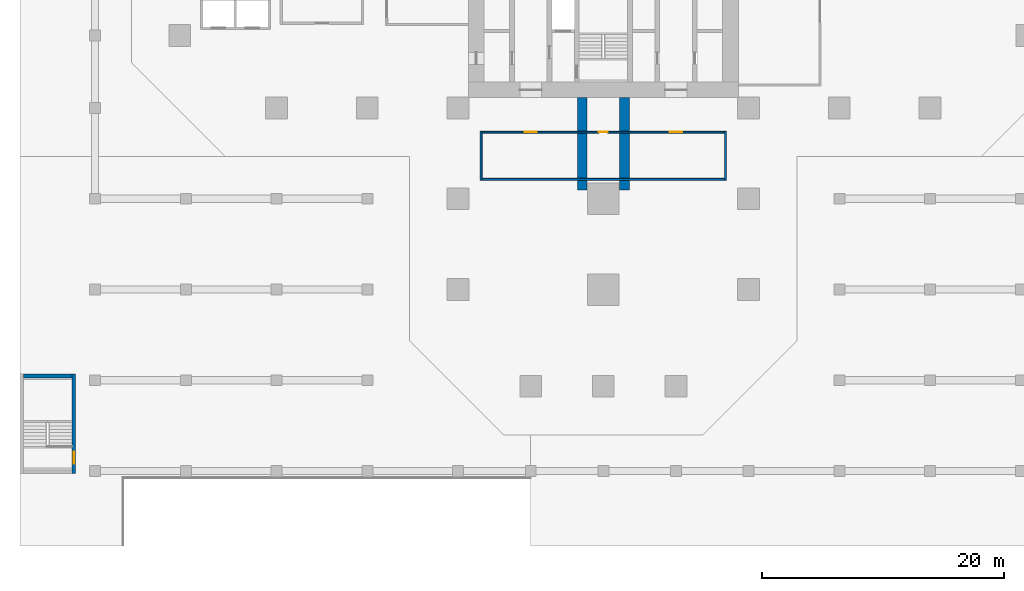
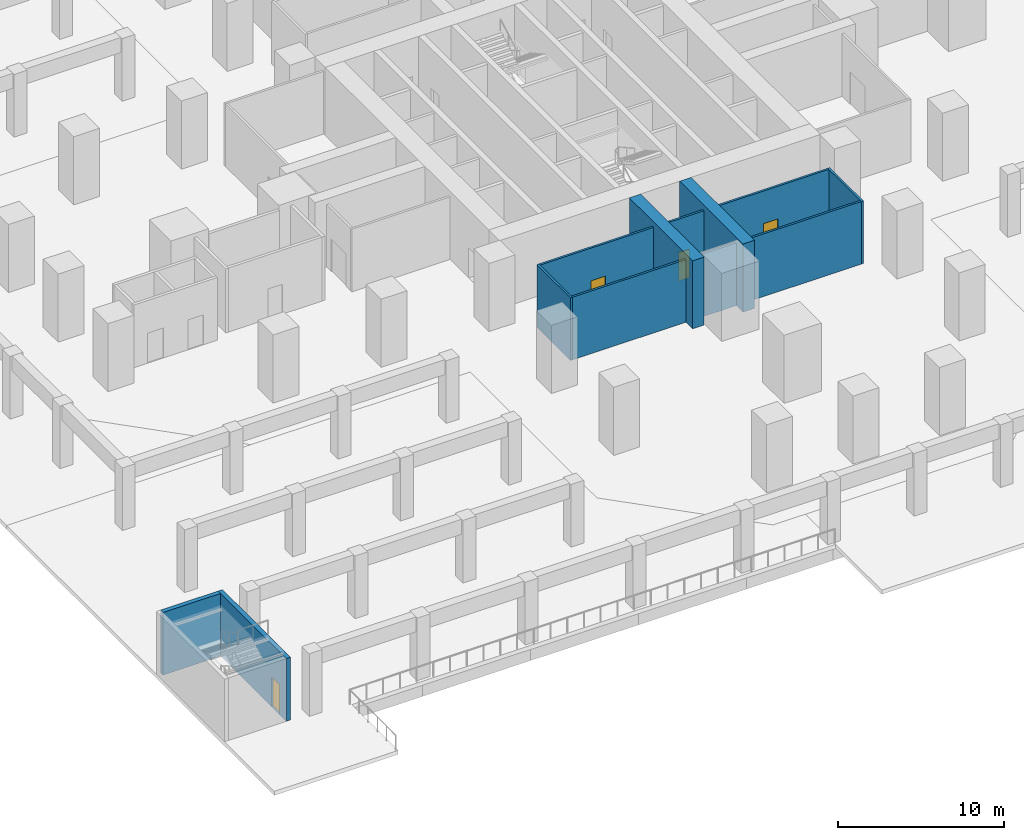
# One storey, part 4 of 20: 8 walls, 4 doors, 4 openings.
"""IFC4 building model written with IfcOpenShell, lengths in metres."""

from ifc_helpers import new_model, si_unit, direction, frame, frame_2d, origin, place, context, subcontext, project, spatial, rectangle, extrude, material, layer, layer_set, type_object, element, fill, save


model = new_model("IFC4")

# Units and contexts
model_context = context("Model", 3, precision=1e-05, world=origin(), true_north=direction((0.0, 1.0)))
body_context = subcontext(model_context, "Body", "Model", "MODEL_VIEW")
ifc_project = project(units=[si_unit("LENGTHUNIT", "METRE"), si_unit("AREAUNIT", "SQUARE_METRE"), si_unit("VOLUMEUNIT", "CUBIC_METRE"), si_unit("PLANEANGLEUNIT", "RADIAN"), si_unit("MASSUNIT", "GRAM", prefix="KILO")], contexts=[model_context])

# Site, building, storey
site_placement = place(None, origin())
site = spatial("IfcSite", under=ifc_project, at=site_placement, CompositionType="ELEMENT")
building_placement = place(site_placement, origin())
building = spatial("IfcBuilding", under=site, at=building_placement, Name="Mizan Broadcast Tower", CompositionType="ELEMENT")
storey_placement = place(building_placement, frame((0.0, 0.0, -5.0)))
storey = spatial("IfcBuildingStorey", under=building, at=storey_placement, Name="B1", CompositionType="ELEMENT", Elevation=-5.0)

# Walls
ifc_material_1 = material(Name="Concrete blockwork", Category="masonry")
ifc_layer_1 = layer(ifc_material_1, 0.14990234375)
ifc_layer_set_1 = layer_set([ifc_layer_1], Name="Concrete blockwork")
wall_type_1 = type_object("IfcWallType", Name="PLANT ROOM ENCLOSURE WALL 150", PredefinedType="SOLIDWALL", material=ifc_layer_set_1)
for number, where, z_axis, x_axis, name in (
    (1, (-10.10009765625, -13.925048828125, 0.0), (0.0, 0.0, 1.0), (0.0, -1.0, 0.0), "Plant room wall PT/SS"),
    (2, (10.10009765625, -13.925048828125, 0.0), (0.0, 0.0, 1.0), (0.0, -1.0, 0.0), "Plant room wall PT/SN"),
):
    element("IfcWall", number, at=place(storey_placement, frame(where, z_axis=z_axis, x_axis=x_axis)), inside=storey, type_object=wall_type_1, Name=name, PredefinedType="SOLIDWALL", context=body_context, shape_type="SweptSolid", body=[
        extrude(rectangle(XDim=4.050048828125, YDim=0.14990234375, at=frame_2d((2.02490234375, 0.0))), origin(), (0.0, 0.0, 1.0), 4.60009765625),
    ])
wall_1_placement = place(storey_placement, frame((-10.02490234375, -17.89990234375, 0.0), z_axis=(0.0, 0.0, 1.0), x_axis=(1.0, 0.0, 0.0)))
element("IfcWall", 3, at=wall_1_placement, inside=storey, type_object=wall_type_1, Name="Plant room wall PT/SX", PredefinedType="SOLIDWALL", context=body_context, shape_type="SweptSolid", body=[
    extrude(rectangle(XDim=20.0498046875, YDim=0.14990234375, at=frame_2d((10.02490234375, 0.0))), origin(), (0.0, 0.0, 1.0), 4.60009765625),
])

# Wall, openings, doors
wall_2_placement = place(storey_placement, frame((-10.02490234375, -14.0, 0.0), z_axis=(0.0, 0.0, 1.0), x_axis=(1.0, 0.0, 0.0)))
wall_2 = element("IfcWall", 4, at=wall_2_placement, inside=storey, type_object=wall_type_1, Name="Plant room wall PT/SY", PredefinedType="SOLIDWALL", context=body_context, shape_type="SweptSolid", body=[
    extrude(rectangle(XDim=20.0498046875, YDim=0.14990234375, at=frame_2d((10.02490234375, 0.0))), origin(), (0.0, 0.0, 1.0), 4.60009765625),
])
opening_1_placement = place(wall_2_placement, frame((9.64990234375, 0.0, 0.0)))
opening_1 = element("IfcOpeningElement", 5, at=opening_1_placement, cuts=wall_2, Name="Opening D07R", PredefinedType="OPENING", context=body_context, shape_type="SweptSolid", body=[
    extrude(rectangle(XDim=0.75, YDim=2.10009765625, at=frame_2d((0.375, 1.050048828125))), frame((0.0, 0.0849609375, 0.0), z_axis=(0.0, -1.0, 0.0), x_axis=(1.0, 0.0, 0.0)), (0.0, 0.0, 1.0), 0.169921875),
])
opening_2_placement = place(wall_2_placement, frame((3.52490234375, 0.0, 0.0)))
opening_2 = element("IfcOpeningElement", 6, at=opening_2_placement, cuts=wall_2, Name="Opening D10F", PredefinedType="OPENING", context=body_context, shape_type="SweptSolid", body=[
    extrude(rectangle(XDim=1.0, YDim=2.199951171875, at=frame_2d((0.5, 1.10009765625))), frame((0.0, 0.0849609375, 0.0), z_axis=(0.0, -1.0, 0.0), x_axis=(1.0, 0.0, 0.0)), (0.0, 0.0, 1.0), 0.169921875),
])
opening_3_placement = place(wall_2_placement, frame((15.52490234375, 0.0, 0.0)))
opening_3 = element("IfcOpeningElement", 7, at=opening_3_placement, cuts=wall_2, Name="Opening D10F", PredefinedType="OPENING", context=body_context, shape_type="SweptSolid", body=[
    extrude(rectangle(XDim=1.0, YDim=2.199951171875, at=frame_2d((0.5, 1.10009765625))), frame((0.0, 0.0849609375, 0.0), z_axis=(0.0, -1.0, 0.0), x_axis=(1.0, 0.0, 0.0)), (0.0, 0.0, 1.0), 0.169921875),
])
ifc_material_2 = material(Name="Steel door leaf in steel frame", Category="steel")
door_type_1 = type_object("IfcDoorType", Name="FIRE DOOR 1000 FD90", OperationType="SINGLE_SWING_LEFT", PredefinedType="DOOR", material=ifc_material_2)
door_1_placement = place(opening_2_placement, origin())
door_1 = element("IfcDoor", 8, at=door_1_placement, inside=storey, type_object=door_type_1, Name="Archive store door", OperationType="SINGLE_SWING_LEFT", OverallHeight=2.199951171875, OverallWidth=1.0, PredefinedType="DOOR", context=body_context, shape_type="SweptSolid", body=[
    extrude(rectangle(XDim=1.0, YDim=2.199951171875, at=frame_2d((0.5, 1.10009765625))), frame((0.0, 0.02490234375, 0.0), z_axis=(0.0, -1.0, 0.0), x_axis=(1.0, 0.0, 0.0)), (0.0, 0.0, 1.0), 0.050048828125),
])
fill(opening_2, door_1)
door_2_placement = place(opening_3_placement, origin())
door_2 = element("IfcDoor", 9, at=door_2_placement, inside=storey, type_object=door_type_1, Name="Archive store door", OperationType="SINGLE_SWING_RIGHT", OverallHeight=2.199951171875, OverallWidth=1.0, PredefinedType="DOOR", context=body_context, shape_type="SweptSolid", body=[
    extrude(rectangle(XDim=1.0, YDim=2.199951171875, at=frame_2d((0.5, 1.10009765625))), frame((0.0, 0.02490234375, 0.0), z_axis=(0.0, -1.0, 0.0), x_axis=(1.0, 0.0, 0.0)), (0.0, 0.0, 1.0), 0.050048828125),
])
fill(opening_3, door_2)
ifc_material_3 = material(Name="Steel door leaf in steel frame", Category="steel")
door_type_2 = type_object("IfcDoorType", Name="RISER ACCESS DOOR 750x2100 FD60", OperationType="SINGLE_SWING_LEFT", PredefinedType="DOOR", material=ifc_material_3)
door_3_placement = place(opening_1_placement, origin())
door_3 = element("IfcDoor", 10, at=door_3_placement, inside=storey, type_object=door_type_2, Name="Spine riser door", OperationType="SINGLE_SWING_LEFT", OverallHeight=2.10009765625, OverallWidth=0.75, PredefinedType="DOOR", context=body_context, shape_type="SweptSolid", body=[
    extrude(rectangle(XDim=0.75, YDim=2.10009765625, at=frame_2d((0.375, 1.050048828125))), frame((0.0, 0.02490234375, 0.0), z_axis=(0.0, -1.0, 0.0), x_axis=(1.0, 0.0, 0.0)), (0.0, 0.0, 1.0), 0.050048828125),
])
fill(opening_1, door_3)

# Walls
ifc_material_4 = material(Name="Concrete C70/85", Category="concrete")
ifc_layer_2 = layer(ifc_material_4, 0.800048828125)
ifc_layer_set_2 = layer_set([ifc_layer_2], Name="Concrete C70/85")
wall_type_2 = type_object("IfcWallType", Name="SPINE WALL 800", PredefinedType="SHEAR", material=ifc_layer_set_2)
for number, where, z_axis, x_axis, name in (
    (11, (-1.75, -11.14990234375, 0.0), (0.0, 0.0, 1.0), (0.0, -1.0, 0.0), "Spine wall SR B1"),
    (12, (1.75, -11.14990234375, 0.0), (0.0, 0.0, 1.0), (0.0, -1.0, 0.0), "Spine wall SL B1"),
):
    element("IfcWall", number, at=place(storey_placement, frame(where, z_axis=z_axis, x_axis=x_axis)), inside=storey, type_object=wall_type_2, Name=name, PredefinedType="SHEAR", context=body_context, shape_type="SweptSolid", body=[
        extrude(rectangle(XDim=7.625, YDim=0.800048828125, at=frame_2d((3.8125, 0.0))), origin(), (0.0, 0.0, 1.0), 5.0),
    ])

# Wall, opening, door
ifc_material_5 = material(Name="Concrete C40/50", Category="concrete")
ifc_layer_3 = layer(ifc_material_5, 0.300048828125)
ifc_layer_set_3 = layer_set([ifc_layer_3], Name="Concrete C40/50")
wall_type_3 = type_object("IfcWallType", Name="STAIR SHAFT WALL 300 RC", PredefinedType="SOLIDWALL", material=ifc_layer_set_3)
wall_3_placement = place(storey_placement, frame((-43.75, -42.199951171875, 0.0), z_axis=(0.0, 0.0, 1.0), x_axis=(0.0, 1.0, 0.0)))
wall_3 = element("IfcWall", 13, at=wall_3_placement, inside=storey, type_object=wall_type_3, Name="Stair shaft wall G I", PredefinedType="SOLIDWALL", context=body_context, shape_type="SweptSolid", body=[
    extrude(rectangle(XDim=8.199951171875, YDim=0.300048828125, at=frame_2d((4.10009765625, 0.0))), origin(), (0.0, 0.0, 1.0), 4.60009765625),
])
opening_4_placement = place(wall_3_placement, frame((0.800048828125, 0.0, 0.0)))
opening_4 = element("IfcOpeningElement", 14, at=opening_4_placement, cuts=wall_3, Name="Opening D10S", PredefinedType="OPENING", context=body_context, shape_type="SweptSolid", body=[
    extrude(rectangle(XDim=1.0, YDim=2.199951171875, at=frame_2d((0.5, 1.10009765625))), frame((0.0, 0.159912109375, 0.0), z_axis=(0.0, -1.0, 0.0), x_axis=(1.0, 0.0, 0.0)), (0.0, 0.0, 1.0), 0.320068359375),
])
ifc_material_6 = material(Name="Steel door leaf in steel frame", Category="steel")
door_type_3 = type_object("IfcDoorType", Name="STAIR DOOR 1000 FD90S", OperationType="SINGLE_SWING_RIGHT", PredefinedType="DOOR", material=ifc_material_6)
door_4_placement = place(opening_4_placement, origin())
door_4 = element("IfcDoor", 15, at=door_4_placement, inside=storey, type_object=door_type_3, Name="Stair G door", OperationType="SINGLE_SWING_RIGHT", OverallHeight=2.199951171875, OverallWidth=1.0, PredefinedType="DOOR", context=body_context, shape_type="SweptSolid", body=[
    extrude(rectangle(XDim=1.0, YDim=2.199951171875, at=frame_2d((0.5, 1.10009765625))), frame((0.0, 0.02490234375, 0.0), z_axis=(0.0, -1.0, 0.0), x_axis=(1.0, 0.0, 0.0)), (0.0, 0.0, 1.0), 0.050048828125),
])
fill(opening_4, door_4)

# Wall
wall_4_placement = place(storey_placement, frame((-47.89990234375, -34.14990234375, 0.0), z_axis=(0.0, 0.0, 1.0), x_axis=(1.0, 0.0, 0.0)))
element("IfcWall", 16, at=wall_4_placement, inside=storey, type_object=wall_type_3, Name="Stair shaft wall G F", PredefinedType="SOLIDWALL", context=body_context, shape_type="SweptSolid", body=[
    extrude(rectangle(XDim=4.0, YDim=0.300048828125, at=frame_2d((2.0, 0.0))), origin(), (0.0, 0.0, 1.0), 4.60009765625),
])

save(model, "model.ifc")
